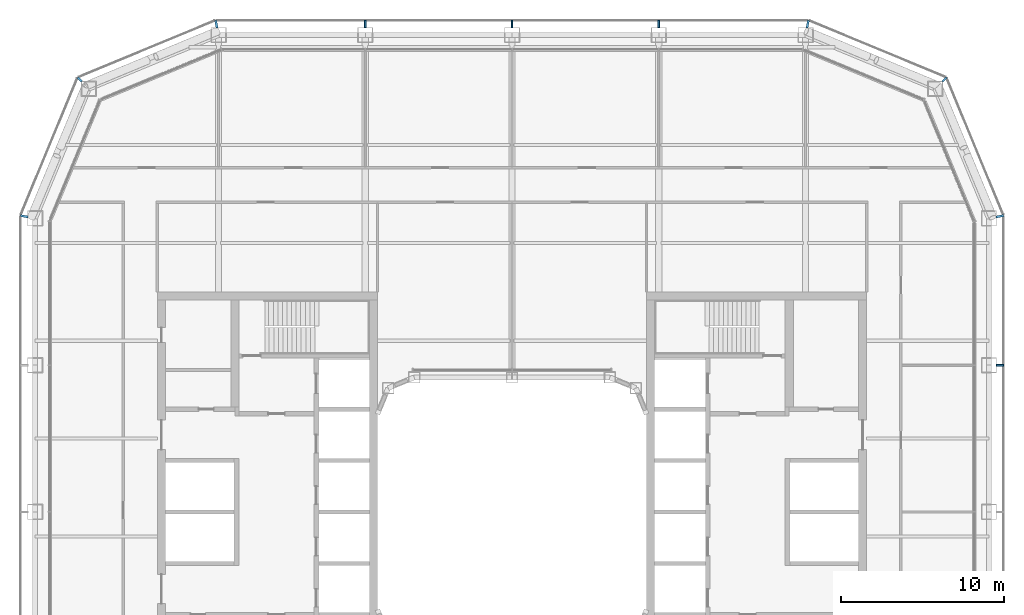
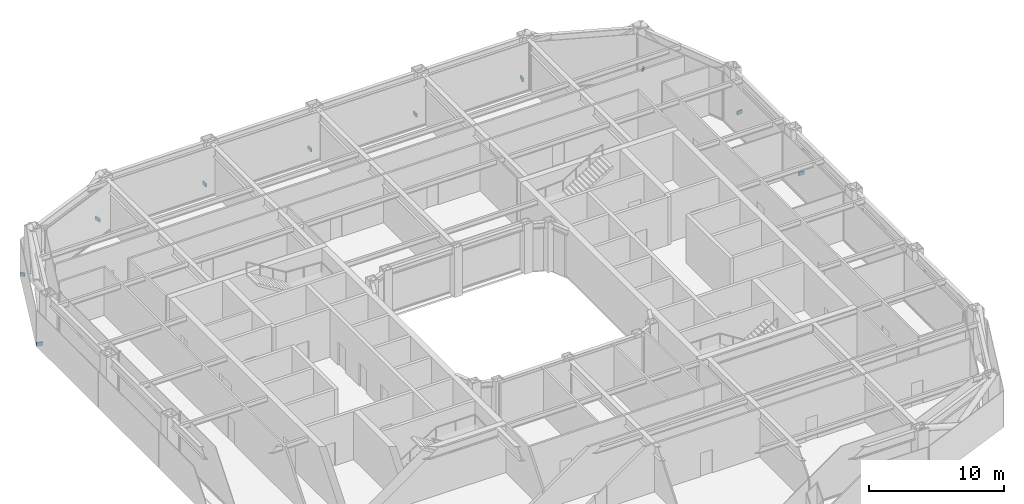
# One storey, part 16 of 21: 10 discrete accessories.
"""IFC4 building model written with IfcOpenShell, lengths in metres."""

from ifc_helpers import new_model, si_unit, direction, frame, origin, origin_2d, place, context, subcontext, project, spatial, rectangle, extrude, material, type_object, element, save


model = new_model("IFC4")

# Units and contexts
model_context = context("Model", 3, precision=1e-05, world=origin(), true_north=direction((0.0, 1.0)))
body_context = subcontext(model_context, "Body", "Model", "MODEL_VIEW")
ifc_project = project(units=[si_unit("LENGTHUNIT", "METRE"), si_unit("AREAUNIT", "SQUARE_METRE"), si_unit("VOLUMEUNIT", "CUBIC_METRE"), si_unit("PLANEANGLEUNIT", "RADIAN"), si_unit("MASSUNIT", "GRAM", prefix="KILO")], contexts=[model_context])

# Site, building, storey
site_placement = place(None, origin())
site = spatial("IfcSite", under=ifc_project, at=site_placement, CompositionType="ELEMENT")
building_placement = place(site_placement, origin())
building = spatial("IfcBuilding", under=site, at=building_placement, Name="Siwar Civic Tower", CompositionType="ELEMENT")
storey_placement = place(building_placement, frame((0.0, 0.0, 140.699951171875)))
storey = spatial("IfcBuildingStorey", under=building, at=storey_placement, Name="L30", CompositionType="ELEMENT", Elevation=140.699951171875)

# Discrete accessories
ifc_material = material(Name="Stainless steel 316", Category="steel")
discrete_accessory_type = type_object("IfcDiscreteAccessoryType", Name="ENV-BRACKET", PredefinedType="BRACKET", material=ifc_material)
for number, where, z_axis, x_axis, name in (
    (1, (29.9150390625, 9.0, -0.14990234375), (0.0, 0.0, 1.0), (1.0, 0.0, 0.0), "Bracket outer skin joint E-03"),
    (2, (9.0, 29.9150390625, -0.14990234375), (0.0, 0.0, 1.0), (0.0, 1.0, 0.0), "Bracket outer skin joint N-01"),
    (3, (0.0, 29.9150390625, -0.14990234375), (0.0, 0.0, 1.0), (0.0, 1.0, 0.0), "Bracket outer skin joint N-02"),
    (4, (-9.0, 29.9150390625, -0.14990234375), (0.0, 0.0, 1.0), (0.0, 1.0, 0.0), "Bracket outer skin joint N-03"),
):
    element("IfcDiscreteAccessory", number, at=place(storey_placement, frame(where, z_axis=z_axis, x_axis=x_axis)), inside=storey, type_object=discrete_accessory_type, Name=name, PredefinedType="BRACKET", context=body_context, shape_type="SweptSolid", body=[
        extrude(rectangle(XDim=0.469970703125, YDim=0.10009765625, at=origin_2d()), origin(), (0.0, 0.0, 1.0), 0.300048828125),
    ])
discrete_accessory_1_placement = place(storey_placement, frame((29.915283203125, 18.13232421875, -0.14990234375), z_axis=(0.0, 0.0, 1.0), x_axis=(0.980785280403, 0.195090322016, 0.0)))
element("IfcDiscreteAccessory", 5, at=discrete_accessory_1_placement, inside=storey, type_object=discrete_accessory_type, Name="Bracket outer skin joint V04", PredefinedType="BRACKET", context=body_context, shape_type="SweptSolid", body=[
    extrude(rectangle(XDim=0.478759765625, YDim=0.13720703125, at=origin_2d()), origin(), (0.0, 0.0, 1.0), 0.300048828125),
])
discrete_accessory_2_placement = place(storey_placement, frame((26.517333984375, 26.517333984375, -0.14990234375), z_axis=(0.0, 0.0, 1.0), x_axis=(0.707106781187, 0.707106781187, 0.0)))
element("IfcDiscreteAccessory", 6, at=discrete_accessory_2_placement, inside=storey, type_object=discrete_accessory_type, Name="Bracket outer skin joint V05", PredefinedType="BRACKET", context=body_context, shape_type="SweptSolid", body=[
    extrude(rectangle(XDim=0.357666015625, YDim=0.12939453125, at=origin_2d()), origin(), (0.0, 0.0, 1.0), 0.300048828125),
])
for number, where, z_axis, x_axis, name in (
    (7, (18.13232421875, 29.915283203125, -0.14990234375), (0.0, 0.0, 1.0), (0.195090322016, 0.980785280403, 0.0), "Bracket outer skin joint V06"),
    (8, (-18.13232421875, 29.915283203125, -0.14990234375), (0.0, 0.0, 1.0), (-0.195090322016, 0.980785280403, 0.0), "Bracket outer skin joint V07"),
):
    element("IfcDiscreteAccessory", number, at=place(storey_placement, frame(where, z_axis=z_axis, x_axis=x_axis)), inside=storey, type_object=discrete_accessory_type, Name=name, PredefinedType="BRACKET", context=body_context, shape_type="SweptSolid", body=[
        extrude(rectangle(XDim=0.478759765625, YDim=0.13720703125, at=origin_2d()), origin(), (0.0, 0.0, 1.0), 0.300048828125),
    ])
discrete_accessory_3_placement = place(storey_placement, frame((-26.517333984375, 26.517333984375, -0.14990234375), z_axis=(0.0, 0.0, 1.0), x_axis=(-0.707106781187, 0.707106781187, 0.0)))
element("IfcDiscreteAccessory", 9, at=discrete_accessory_3_placement, inside=storey, type_object=discrete_accessory_type, Name="Bracket outer skin joint V08", PredefinedType="BRACKET", context=body_context, shape_type="SweptSolid", body=[
    extrude(rectangle(XDim=0.357666015625, YDim=0.12939453125, at=origin_2d()), origin(), (0.0, 0.0, 1.0), 0.300048828125),
])
discrete_accessory_4_placement = place(storey_placement, frame((-29.915283203125, 18.13232421875, -0.14990234375), z_axis=(0.0, 0.0, 1.0), x_axis=(-0.980785280403, 0.195090322016, 0.0)))
element("IfcDiscreteAccessory", 10, at=discrete_accessory_4_placement, inside=storey, type_object=discrete_accessory_type, Name="Bracket outer skin joint V09", PredefinedType="BRACKET", context=body_context, shape_type="SweptSolid", body=[
    extrude(rectangle(XDim=0.478759765625, YDim=0.13720703125, at=origin_2d()), origin(), (0.0, 0.0, 1.0), 0.300048828125),
])

save(model, "model.ifc")
